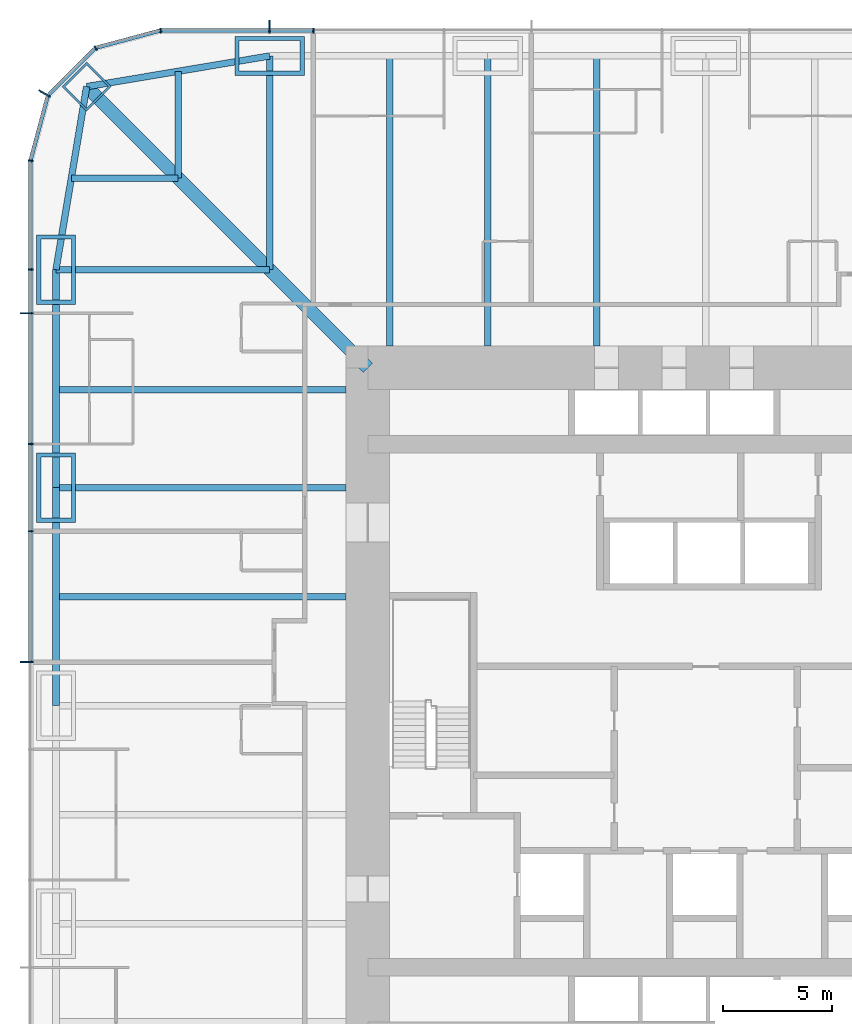
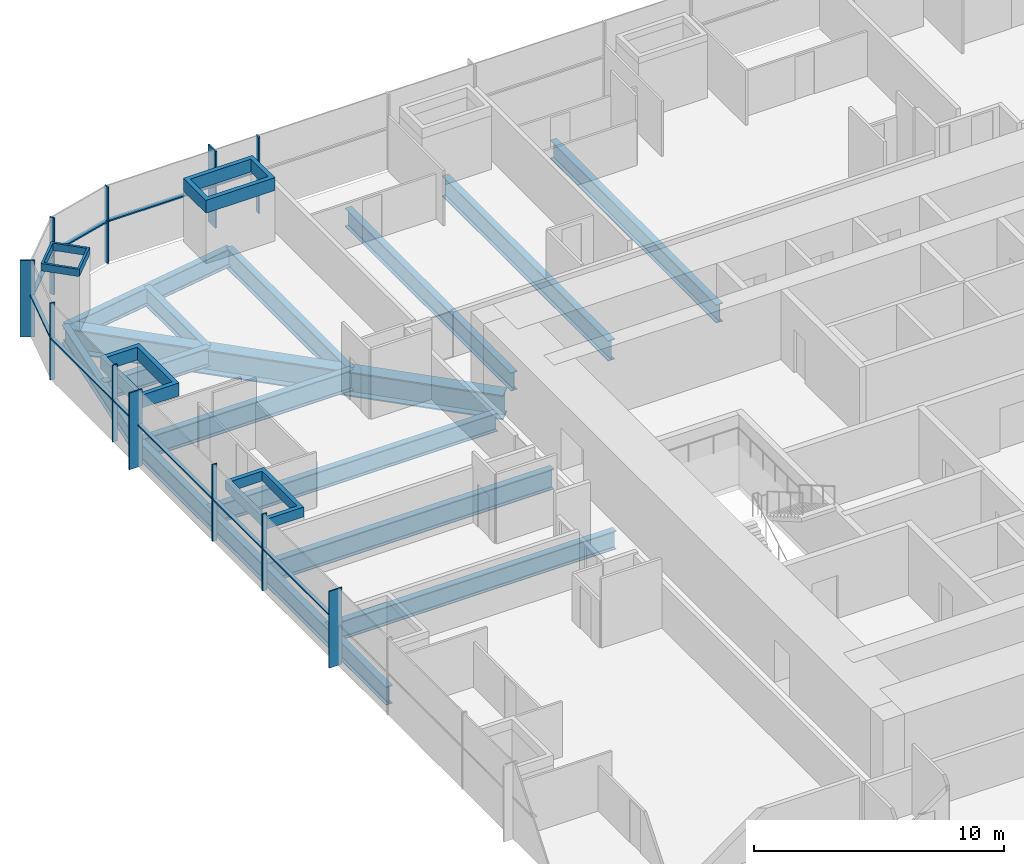
# One storey, part 6 of 17: 25 members, 15 beams, 3 elements without a shape of their own.
"""IFC4 building model written with IfcOpenShell, lengths in metres."""

import ifcopenshell
import ifcopenshell.guid

model = None  # the IFC model being written
_history = None  # IfcOwnerHistory: only IFC2X3 demands one
_inside = {}  # id of a spatial element -> (the spatial element, [elements in it])
_under = {}  # id of a project, library or spatial element -> (it, [spatial elements below it])
_declared = {}  # id of a project -> (the project, [libraries it declares])
_typed = {}  # id of a type object -> (the type object, [elements of that type])
_made_of = {}  # id of a material, layer set ... -> (it, [elements and type objects made of it])


def new_model(schema):
    """Start an empty IFC model of exactly this schema.

    Asked for "IFC4X3", IfcOpenShell would pick the latest addendum, in which some entities
    have other attributes; the version numbers below select the first issue.
    IFC2X3 requires an IfcOwnerHistory on every rooted entity: one is made here for all.
    """
    global model, _history
    if schema == "IFC4X3":
        model = ifcopenshell.file(schema_version=(4, 3, 0, 0))
    else:
        model = ifcopenshell.file(schema=schema)
    _inside.clear()
    _under.clear()
    _declared.clear()
    _typed.clear()
    _made_of.clear()
    _history = None
    if model.schema == "IFC2X3":
        org = make("IfcOrganization", Name="unknown")
        user = make(
            "IfcPersonAndOrganization",
            ThePerson=make("IfcPerson", FamilyName="unknown"),
            TheOrganization=org,
        )
        app = make(
            "IfcApplication",
            ApplicationDeveloper=org,
            Version="unknown",
            ApplicationFullName="unknown",
            ApplicationIdentifier="unknown",
        )
        _history = make(
            "IfcOwnerHistory",
            OwningUser=user,
            OwningApplication=app,
            ChangeAction="ADDED",
            CreationDate=0,
        )
    return model


def make(cls, **values):
    """One entity of the class cls with the attributes given. An attribute that is None is left unset."""
    return model.create_entity(
        cls, **{name: value for name, value in values.items() if value is not None}
    )


def rooted(cls, **values):
    """An entity with a GlobalId (a new one), such as an element, a storey or a relation."""
    return make(cls, GlobalId=ifcopenshell.guid.new(), OwnerHistory=_history, **values)


def si_unit(unit_type, name, prefix=None):
    """IfcSIUnit, for example si_unit("LENGTHUNIT", "METRE", prefix="MILLI")."""
    return make("IfcSIUnit", UnitType=unit_type, Prefix=prefix, Name=name)


def assignment(units):
    """IfcUnitAssignment: the units of a project."""
    return None if units is None else make("IfcUnitAssignment", Units=units)


def point(xyz):
    """IfcCartesianPoint."""
    return None if xyz is None else make("IfcCartesianPoint", Coordinates=xyz)


def direction(xyz):
    """IfcDirection."""
    return None if xyz is None else make("IfcDirection", DirectionRatios=xyz)


def frame(location, z_axis=None, x_axis=None):
    """IfcAxis2Placement3D, a coordinate frame: its origin and axes. An axis left out is left unset."""
    return make(
        "IfcAxis2Placement3D",
        Location=point(location),
        Axis=direction(z_axis),
        RefDirection=direction(x_axis),
    )


def frame_2d(location, x_axis=None):
    """IfcAxis2Placement2D, a coordinate frame in the plane: its origin and x axis."""
    return make(
        "IfcAxis2Placement2D", Location=point(location), RefDirection=direction(x_axis)
    )


def origin():
    """The frame at (0, 0, 0) with its axes left unset."""
    return frame((0.0, 0.0, 0.0))


def origin_2d():
    """The frame at (0, 0) in the plane with its x axis left unset."""
    return frame_2d((0.0, 0.0))


def place(relative_to, where):
    """IfcLocalPlacement: puts the frame where relative to a parent placement (None: the world)."""
    return make(
        "IfcLocalPlacement", PlacementRelTo=relative_to, RelativePlacement=where
    )


def context(
    kind, dimensions, precision=None, world=None, true_north=None, identifier=None
):
    """IfcGeometricRepresentationContext, for example the 3D "Model" context."""
    return make(
        "IfcGeometricRepresentationContext",
        ContextIdentifier=identifier,
        ContextType=kind,
        CoordinateSpaceDimension=dimensions,
        Precision=precision,
        WorldCoordinateSystem=world,
        TrueNorth=true_north,
    )


def subcontext(parent, identifier, kind, view, scale=None):
    """IfcGeometricRepresentationSubContext, for example "Body" below "Model"."""
    return make(
        "IfcGeometricRepresentationSubContext",
        ContextIdentifier=identifier,
        ContextType=kind,
        ParentContext=parent,
        TargetScale=scale,
        TargetView=view,
    )


def project(units=None, contexts=None):
    """IfcProject with its units and contexts."""
    return rooted(
        "IfcProject",
        Name="project",
        RepresentationContexts=contexts,
        UnitsInContext=assignment(units),
    )


def spatial(cls, under=None, at=None, **own):
    """A site, building, storey or space (cls), placed at a placement, below another one or the project."""
    s = rooted(cls, ObjectPlacement=at, **own)
    if under is not None:
        _under.setdefault(under.id(), (under, []))[1].append(s)
    return s


def profile(cls, at=None, kind="AREA", **sizes):
    """A parametric profile (cls). Its sizes go by their IFC names, for example OverallWidth=200.0."""
    return make(cls, ProfileType=kind, Position=at, **sizes)


def rectangle(**sizes):
    """IfcRectangleProfileDef."""
    return profile("IfcRectangleProfileDef", **sizes)


def hollow_rectangle(**sizes):
    """IfcRectangleHollowProfileDef."""
    return profile("IfcRectangleHollowProfileDef", **sizes)


def i_section(**sizes):
    """IfcIShapeProfileDef."""
    return profile("IfcIShapeProfileDef", **sizes)


def extrude(swept, where, along, depth):
    """IfcExtrudedAreaSolid: the profile swept, set in the frame where, extruded along a direction by depth."""
    return make(
        "IfcExtrudedAreaSolid",
        SweptArea=swept,
        Position=where,
        ExtrudedDirection=direction(along),
        Depth=depth,
    )


def shape(context_of_items, identifier, shape_type, items):
    """IfcShapeRepresentation: the items that make up one representation, for example the "Body"."""
    return make(
        "IfcShapeRepresentation",
        ContextOfItems=context_of_items,
        RepresentationIdentifier=identifier,
        RepresentationType=shape_type,
        Items=items,
    )


def material(Name=None, Category=None):
    """IfcMaterial."""
    return make("IfcMaterial", Name=Name, Category=Category)


def material_profile(
    of_material, cross_section, Name=None, Category=None, Priority=None
):
    """IfcMaterialProfile: a cross section and its material."""
    return make(
        "IfcMaterialProfile",
        Name=Name,
        Material=of_material,
        Profile=cross_section,
        Priority=Priority,
        Category=Category,
    )


def profile_set(profiles, Name=None, composite=None):
    """IfcMaterialProfileSet."""
    return make(
        "IfcMaterialProfileSet",
        Name=Name,
        MaterialProfiles=profiles,
        CompositeProfile=composite,
    )


def made_of(thing, what):
    """Note that an element or type object is made of a material, layer set ...; save() writes the relation."""
    if what is not None:
        _made_of.setdefault(what.id(), (what, []))[1].append(thing)
    return thing


def type_object(cls, material=None, **own):
    """A type object (cls), such as IfcWallType, which elements share."""
    return made_of(rooted(cls, **own), material)


def element(
    cls,
    number,
    at=None,
    inside=None,
    cuts=None,
    type_object=None,
    material=None,
    context=None,
    identifier="Body",
    shape_type=None,
    held_by="IfcProductDefinitionShape",
    body=None,
    shapes=None,
    **own,
):
    """One element of the class cls, such as IfcWall. Its Tag is "e" and its number.

    at: its placement. inside: the storey or other place that contains it. cuts: it is an
    opening in that element (IfcRelVoidsElement). A single representation is given by context,
    identifier, shape_type and body (its items); several are given by shapes. held_by: the class
    of the entity that holds the representations. save() writes the other relations.
    """
    e = rooted(cls, Tag="e%d" % number, ObjectPlacement=at, **own)
    if body is not None:
        shapes = [shape(context, identifier, shape_type, body)]
    if shapes is not None:
        e.Representation = make(held_by, Representations=shapes)
    if inside is not None:
        _inside.setdefault(inside.id(), (inside, []))[1].append(e)
    if cuts is not None:
        rooted(
            "IfcRelVoidsElement", RelatingBuildingElement=cuts, RelatedOpeningElement=e
        )
    if type_object is not None:
        _typed.setdefault(type_object.id(), (type_object, []))[1].append(e)
    return made_of(e, material)


def aggregate(whole, parts):
    """IfcRelAggregates: a whole, such as a stair, and the parts it consists of."""
    return rooted("IfcRelAggregates", RelatingObject=whole, RelatedObjects=parts)


def save(model, path):
    """Write the relations noted so far, then the file.

    IfcRelAggregates (storeys below a building ...), IfcRelContainedInSpatialStructure (elements
    in a storey), IfcRelDefinesByType, IfcRelAssociatesMaterial and IfcRelDeclares: one each for
    every whole, place, type object, material and project.
    """
    for whole, parts in _under.values():
        aggregate(whole, parts)
    for where, things in _inside.values():
        rooted(
            "IfcRelContainedInSpatialStructure",
            RelatedElements=things,
            RelatingStructure=where,
        )
    for kind, things in _typed.values():
        rooted("IfcRelDefinesByType", RelatedObjects=things, RelatingType=kind)
    for what, things in _made_of.values():
        rooted("IfcRelAssociatesMaterial", RelatedObjects=things, RelatingMaterial=what)
    for by, libraries in _declared.values():
        rooted("IfcRelDeclares", RelatingContext=by, RelatedDefinitions=libraries)
    model.write(path)


model = new_model("IFC4")

# Units and contexts
model_context = context("Model", 3, precision=1e-05, world=origin(), true_north=direction((0.0, 1.0)))
body_context = subcontext(model_context, "Body", "Model", "MODEL_VIEW")
ifc_project = project(units=[si_unit("LENGTHUNIT", "METRE"), si_unit("AREAUNIT", "SQUARE_METRE"), si_unit("VOLUMEUNIT", "CUBIC_METRE"), si_unit("PLANEANGLEUNIT", "RADIAN"), si_unit("MASSUNIT", "GRAM", prefix="KILO")], contexts=[model_context])

# Site, building, storey
site_placement = place(None, origin())
site = spatial("IfcSite", under=ifc_project, at=site_placement, CompositionType="ELEMENT")
building_placement = place(site_placement, origin())
building = spatial("IfcBuilding", under=site, at=building_placement, Name="Khuree Lantern Residences", CompositionType="ELEMENT")
storey_placement = place(building_placement, frame((0.0, 0.0, 96.0)))
storey = spatial("IfcBuildingStorey", under=building, at=storey_placement, Name="L24", CompositionType="ELEMENT", Elevation=96.0)

# Beams
ifc_material_1 = material(Name="Steel S355", Category="steel")
ifc_material_profile_1 = material_profile(ifc_material_1, i_section(OverallWidth=0.300048828125, OverallDepth=0.89990234375, WebThickness=0.0185546875, FlangeThickness=0.034912109375, FilletRadius=0.030029296875, at=origin_2d()), Name="HE 900 B")
ifc_profile_set_1 = profile_set([ifc_material_profile_1], Name="Steel S355")
beam_type_1 = type_object("IfcBeamType", Name="B-15A SECONDARY BEAM HE 900 B", PredefinedType="BEAM", material=ifc_profile_set_1)
for number, where, z_axis, x_axis, name in (
    (1, (-14.5, 29.800048828125, -0.699951171875), (0.0, -1.0, 0.0), (1.0, 0.0, 0.0), "Secondary beam N1"),
    (2, (-5.0, 29.800048828125, -0.699951171875), (0.0, -1.0, 0.0), (1.0, 0.0, 0.0), "Secondary beam N2"),
    (3, (-29.800048828125, 5.0, -0.699951171875), (1.0, 0.0, 0.0), (0.0, 1.0, 0.0), "Secondary beam W4"),
    (4, (-29.800048828125, 14.5, -0.699951171875), (1.0, 0.0, 0.0), (0.0, 1.0, 0.0), "Secondary beam W5"),
):
    element("IfcBeam", number, at=place(storey_placement, frame(where, z_axis=z_axis, x_axis=x_axis)), inside=storey, type_object=beam_type_1, Name=name, PredefinedType="BEAM", context=body_context, shape_type="SweptSolid", body=[
        extrude(i_section(OverallWidth=0.300048828125, OverallDepth=0.89990234375, WebThickness=0.0185546875, FlangeThickness=0.034912109375, FilletRadius=0.030029296875, at=origin_2d()), origin(), (0.0, 0.0, 1.0), 13.300048828125),
    ])
for number, where, z_axis, x_axis, name in (
    (5, (-29.09716796875, 24.197021484375, -0.699951171875), (1.0, 0.0, 0.0), (0.0, 1.0, 0.0), "Secondary beam W6"),
    (6, (-24.197021484375, 29.09716796875, -0.699951171875), (0.0, -1.0, 0.0), (1.0, 0.0, 0.0), "Secondary beam N6"),
):
    element("IfcBeam", number, at=place(storey_placement, frame(where, z_axis=z_axis, x_axis=x_axis)), inside=storey, type_object=beam_type_1, Name=name, PredefinedType="BEAM", context=body_context, shape_type="SweptSolid", body=[
        extrude(i_section(OverallWidth=0.300048828125, OverallDepth=0.89990234375, WebThickness=0.0185546875, FlangeThickness=0.034912109375, FilletRadius=0.030029296875, at=origin_2d()), origin(), (0.0, 0.0, 1.0), 4.900146484375),
    ])
ifc_material_profile_2 = material_profile(ifc_material_1, i_section(OverallWidth=0.300048828125, OverallDepth=0.889892578125, WebThickness=0.01611328125, FlangeThickness=0.030029296875, FilletRadius=0.030029296875, at=origin_2d()), Name="HE 900 A")
ifc_profile_set_2 = profile_set([ifc_material_profile_2], Name="Steel S355")
beam_type_2 = type_object("IfcBeamType", Name="E-15A SPANDREL BEAM HE 900 A", PredefinedType="SPANDREL", material=ifc_profile_set_2)
for number, where, z_axis, x_axis, name in (
    (7, (-29.800048828125, 0.0, -0.695068359375), (0.0, 1.0, 0.0), (-1.0, 0.0, 0.0), "Spandrel beam W4"),
    (8, (-29.800048828125, 10.0, -0.695068359375), (0.0, 1.0, 0.0), (-1.0, 0.0, 0.0), "Spandrel beam W5"),
):
    element("IfcBeam", number, at=place(storey_placement, frame(where, z_axis=z_axis, x_axis=x_axis)), inside=storey, type_object=beam_type_2, Name=name, PredefinedType="SPANDREL", context=body_context, shape_type="SweptSolid", body=[
        extrude(i_section(OverallWidth=0.300048828125, OverallDepth=0.889892578125, WebThickness=0.01611328125, FlangeThickness=0.030029296875, FilletRadius=0.030029296875, at=origin_2d()), origin(), (0.0, 0.0, 1.0), 10.0),
    ])
for number, where, z_axis, x_axis, name in (
    (9, (-29.800048828125, 20.0, -0.695068359375), (0.165199022349, 0.986260251158, 0.0), (-0.986260251158, 0.165199022349, 0.0), "Spandrel beam W6"),
    (10, (-28.39404296875, 28.39404296875, -0.695068359375), (0.986260251158, 0.165199022349, 0.0), (-0.165199022349, 0.986260251158, 0.0), "Spandrel beam N6"),
):
    element("IfcBeam", number, at=place(storey_placement, frame(where, z_axis=z_axis, x_axis=x_axis)), inside=storey, type_object=beam_type_2, Name=name, PredefinedType="SPANDREL", context=body_context, shape_type="SweptSolid", body=[
        extrude(i_section(OverallWidth=0.300048828125, OverallDepth=0.889892578125, WebThickness=0.01611328125, FlangeThickness=0.030029296875, FilletRadius=0.030029296875, at=origin_2d()), origin(), (0.0, 0.0, 1.0), 8.510986328125),
    ])

# Curtain wall, member
ifc_material_2 = material(Name="Bronze anodised aluminium", Category="aluminium")
curtain_wall_type_1 = type_object("IfcCurtainWallType", Name="CW-T1 TOWER FACE CURTAIN WALL", PredefinedType="USERDEFINED", material=ifc_material_2)
curtain_wall_1_placement = place(storey_placement, origin())
curtain_wall_1 = element("IfcCurtainWall", 11, at=curtain_wall_1_placement, inside=storey, type_object=curtain_wall_type_1, Name="L24 NORTH FACE CURTAIN WALL", ObjectType="Stick-built curtain wall", PredefinedType="USERDEFINED")
ifc_material_profile_3 = material_profile(ifc_material_2, rectangle(XDim=0.06494140625, YDim=0.60009765625, at=origin_2d()), Name="F1 65X600")
ifc_profile_set_3 = profile_set([ifc_material_profile_3], Name="Bronze anodised aluminium")
member_type_1 = type_object("IfcMemberType", Name="F1 BRONZE FIN MULLION TOWER 65X600", PredefinedType="MULLION", material=ifc_profile_set_3)
member_1_placement = place(storey_placement, frame((-20.0, 31.14990234375, 0.0), z_axis=(0.0, 0.0, 1.0), x_axis=(-1.0, 0.0, 0.0)))
member_1 = element("IfcMember", 12, at=member_1_placement, type_object=member_type_1, Name="L24 NORTH FACE FIN MULLION 28", PredefinedType="MULLION", context=body_context, shape_type="SweptSolid", body=[
    extrude(rectangle(XDim=0.06494140625, YDim=0.60009765625, at=origin_2d()), origin(), (0.0, 0.0, 1.0), 3.75),
])

curtain_wall_type_2 = type_object("IfcCurtainWallType", Name="CW-T2 TOWER CORNER CURTAIN WALL", PredefinedType="USERDEFINED", material=ifc_material_2)
curtain_wall_2_placement = place(storey_placement, origin())
curtain_wall_2 = element("IfcCurtainWall", 13, at=curtain_wall_2_placement, inside=storey, type_object=curtain_wall_type_2, Name="L24 NORTH-WEST CORNER CURTAIN WALL", ObjectType="Faceted corner curtain wall", PredefinedType="USERDEFINED")
member_2_placement = place(storey_placement, frame((-30.326171875, 28.074951171875, 0.0), z_axis=(0.0, 0.0, 1.0), x_axis=(-0.500000056923, -0.86602537092, 0.0)))
member_2 = element("IfcMember", 14, at=member_2_placement, type_object=member_type_1, Name="L24 NORTH-WEST CORNER FIN MULLION 31", PredefinedType="MULLION", context=body_context, shape_type="SweptSolid", body=[
    extrude(rectangle(XDim=0.06494140625, YDim=0.60009765625, at=origin_2d()), origin(), (0.0, 0.0, 1.0), 3.75),
])

# Curtain wall, members
curtain_wall_3_placement = place(storey_placement, origin())
curtain_wall_3 = element("IfcCurtainWall", 15, at=curtain_wall_3_placement, inside=storey, type_object=curtain_wall_type_1, Name="L24 WEST FACE CURTAIN WALL", ObjectType="Stick-built curtain wall", PredefinedType="USERDEFINED")
member_3_placement = place(storey_placement, frame((-31.14990234375, 18.0, 0.0), z_axis=(0.0, 0.0, 1.0), x_axis=(0.0, -1.0, 0.0)))
member_3 = element("IfcMember", 16, at=member_3_placement, type_object=member_type_1, Name="L24 WEST FACE FIN MULLION 34", PredefinedType="MULLION", context=body_context, shape_type="SweptSolid", body=[
    extrude(rectangle(XDim=0.06494140625, YDim=0.60009765625, at=origin_2d()), origin(), (0.0, 0.0, 1.0), 3.75),
])
member_4_placement = place(storey_placement, frame((-31.14990234375, 2.0, 0.0), z_axis=(0.0, 0.0, 1.0), x_axis=(0.0, -1.0, 0.0)))
member_4 = element("IfcMember", 17, at=member_4_placement, type_object=member_type_1, Name="L24 WEST FACE FIN MULLION 37", PredefinedType="MULLION", context=body_context, shape_type="SweptSolid", body=[
    extrude(rectangle(XDim=0.06494140625, YDim=0.60009765625, at=origin_2d()), origin(), (0.0, 0.0, 1.0), 3.75),
])

# Beams
ifc_material_profile_4 = material_profile(ifc_material_1, i_section(OverallWidth=0.302001953125, OverallDepth=1.008056640625, WebThickness=0.02099609375, FlangeThickness=0.0400390625, FilletRadius=0.030029296875, at=origin_2d()), Name="HE 1000 M")
ifc_profile_set_4 = profile_set([ifc_material_profile_4], Name="Steel S355")
beam_type_3 = type_object("IfcBeamType", Name="G-15 GIRDER HE 1000 M", PredefinedType="BEAM", material=ifc_profile_set_4)
beam_1_placement = place(storey_placement, frame((-20.0, 29.800048828125, -0.75390625), z_axis=(0.0, -1.0, 0.0), x_axis=(1.0, 0.0, 0.0)))
element("IfcBeam", 18, at=beam_1_placement, inside=storey, type_object=beam_type_3, Name="Girder N1", PredefinedType="BEAM", context=body_context, shape_type="SweptSolid", body=[
    extrude(i_section(OverallWidth=0.302001953125, OverallDepth=1.008056640625, WebThickness=0.02099609375, FlangeThickness=0.0400390625, FilletRadius=0.030029296875, at=origin_2d()), origin(), (0.0, 0.0, 1.0), 9.800048828125),
])
for number, where, z_axis, x_axis, name in (
    (19, (-10.0, 29.800048828125, -0.75390625), (0.0, -1.0, 0.0), (1.0, 0.0, 0.0), "Girder N2"),
    (20, (-29.800048828125, 10.0, -0.75390625), (1.0, 0.0, 0.0), (0.0, 1.0, 0.0), "Girder W4"),
):
    element("IfcBeam", number, at=place(storey_placement, frame(where, z_axis=z_axis, x_axis=x_axis)), inside=storey, type_object=beam_type_3, Name=name, PredefinedType="BEAM", context=body_context, shape_type="SweptSolid", body=[
        extrude(i_section(OverallWidth=0.302001953125, OverallDepth=1.008056640625, WebThickness=0.02099609375, FlangeThickness=0.0400390625, FilletRadius=0.030029296875, at=origin_2d()), origin(), (0.0, 0.0, 1.0), 13.300048828125),
    ])
beam_2_placement = place(storey_placement, frame((-29.800048828125, 20.0, -0.75390625), z_axis=(1.0, 0.0, 0.0), x_axis=(0.0, 1.0, 0.0)))
element("IfcBeam", 21, at=beam_2_placement, inside=storey, type_object=beam_type_3, Name="Girder W5", PredefinedType="BEAM", context=body_context, shape_type="SweptSolid", body=[
    extrude(i_section(OverallWidth=0.302001953125, OverallDepth=1.008056640625, WebThickness=0.02099609375, FlangeThickness=0.0400390625, FilletRadius=0.030029296875, at=origin_2d()), origin(), (0.0, 0.0, 1.0), 9.800048828125),
])
ifc_material_profile_5 = material_profile(ifc_material_1, i_section(OverallWidth=0.60009765625, OverallDepth=1.199951171875, WebThickness=0.030029296875, FlangeThickness=0.06005859375, at=origin_2d()), Name="WELDED I 1200X600X30X60")
ifc_profile_set_5 = profile_set([ifc_material_profile_5], Name="Steel S355")
beam_type_4 = type_object("IfcBeamType", Name="GD-15 CORNER GIRDER WELDED I 1200X600X30X60", PredefinedType="BEAM", material=ifc_profile_set_5)
beam_3_placement = place(storey_placement, frame((-28.39404296875, 28.39404296875, -0.85009765625), z_axis=(0.707106781187, -0.707106781187, 0.0), x_axis=(0.707106781187, 0.707106781187, 0.0)))
element("IfcBeam", 22, at=beam_3_placement, inside=storey, type_object=beam_type_4, Name="Corner girder NW", PredefinedType="BEAM", context=body_context, shape_type="SweptSolid", body=[
    extrude(i_section(OverallWidth=0.60009765625, OverallDepth=1.199951171875, WebThickness=0.030029296875, FlangeThickness=0.06005859375, at=origin_2d()), origin(), (0.0, 0.0, 1.0), 18.23486328125),
])

# Member
ifc_material_profile_6 = material_profile(ifc_material_2, rectangle(XDim=0.06494140625, YDim=0.219970703125, at=origin_2d()), Name="M1 65X220")
ifc_profile_set_6 = profile_set([ifc_material_profile_6], Name="Bronze anodised aluminium")
member_type_2 = type_object("IfcMemberType", Name="M1 BRONZE MULLION TOWER 65X220", PredefinedType="MULLION", material=ifc_profile_set_6)
member_5_placement = place(storey_placement, frame((-18.0, 30.9599609375, 0.0), z_axis=(0.0, 0.0, 1.0), x_axis=(-1.0, 0.0, 0.0)))
member_5 = element("IfcMember", 23, at=member_5_placement, type_object=member_type_2, Name="L24 NORTH FACE MULLION 27", PredefinedType="MULLION", context=body_context, shape_type="SweptSolid", body=[
    extrude(rectangle(XDim=0.06494140625, YDim=0.219970703125, at=origin_2d()), origin(), (0.0, 0.0, 1.0), 3.75),
])

member_6_placement = place(storey_placement, frame((-24.994873046875, 30.961669921875, 0.0), z_axis=(0.0, 0.0, 1.0), x_axis=(-0.991444852794, -0.130526257387, 0.0)))
member_6 = element("IfcMember", 24, at=member_6_placement, type_object=member_type_2, Name="L24 NORTH-WEST CORNER MULLION 29", PredefinedType="MULLION", context=body_context, shape_type="SweptSolid", body=[
    extrude(rectangle(XDim=0.06494140625, YDim=0.219970703125, at=origin_2d()), origin(), (0.0, 0.0, 1.0), 3.75),
])

member_7_placement = place(storey_placement, frame((-27.97998046875, 30.16162109375, 0.0), z_axis=(0.0, 0.0, 1.0), x_axis=(-0.86602537092, -0.500000056923, 0.0)))
member_7 = element("IfcMember", 25, at=member_7_placement, type_object=member_type_2, Name="L24 NORTH-WEST CORNER MULLION 30", PredefinedType="MULLION", context=body_context, shape_type="SweptSolid", body=[
    extrude(rectangle(XDim=0.06494140625, YDim=0.219970703125, at=origin_2d()), origin(), (0.0, 0.0, 1.0), 3.75),
])

member_8_placement = place(storey_placement, frame((-30.961669921875, 24.994873046875, 0.0), z_axis=(0.0, 0.0, 1.0), x_axis=(-0.130526257387, -0.991444852794, 0.0)))
member_8 = element("IfcMember", 26, at=member_8_placement, type_object=member_type_2, Name="L24 WEST FACE MULLION 32", PredefinedType="MULLION", context=body_context, shape_type="SweptSolid", body=[
    extrude(rectangle(XDim=0.06494140625, YDim=0.219970703125, at=origin_2d()), origin(), (0.0, 0.0, 1.0), 3.75),
])

member_9_placement = place(storey_placement, frame((-30.9599609375, 20.0, 0.0), z_axis=(0.0, 0.0, 1.0), x_axis=(0.0, -1.0, 0.0)))
member_9 = element("IfcMember", 27, at=member_9_placement, type_object=member_type_2, Name="L24 WEST FACE MULLION 33", PredefinedType="MULLION", context=body_context, shape_type="SweptSolid", body=[
    extrude(rectangle(XDim=0.06494140625, YDim=0.219970703125, at=origin_2d()), origin(), (0.0, 0.0, 1.0), 3.75),
])

member_10_placement = place(storey_placement, frame((-30.9599609375, 12.0, 0.0), z_axis=(0.0, 0.0, 1.0), x_axis=(0.0, -1.0, 0.0)))
member_10 = element("IfcMember", 28, at=member_10_placement, type_object=member_type_2, Name="L24 WEST FACE MULLION 35", PredefinedType="MULLION", context=body_context, shape_type="SweptSolid", body=[
    extrude(rectangle(XDim=0.06494140625, YDim=0.219970703125, at=origin_2d()), origin(), (0.0, 0.0, 1.0), 3.75),
])

member_11_placement = place(storey_placement, frame((-30.9599609375, 8.0, 0.0), z_axis=(0.0, 0.0, 1.0), x_axis=(0.0, -1.0, 0.0)))
member_11 = element("IfcMember", 29, at=member_11_placement, type_object=member_type_2, Name="L24 WEST FACE MULLION 36", PredefinedType="MULLION", context=body_context, shape_type="SweptSolid", body=[
    extrude(rectangle(XDim=0.06494140625, YDim=0.219970703125, at=origin_2d()), origin(), (0.0, 0.0, 1.0), 3.75),
])

# Members
ifc_material_3 = material(Name="Steel S355 CFT welded box", Category="steel")
ifc_material_profile_7 = material_profile(ifc_material_3, hollow_rectangle(XDim=3.199951171875, YDim=1.800048828125, WallThickness=0.199951171875, at=origin_2d()), Name="WELDED BOX 3200X1800X200")
ifc_profile_set_7 = profile_set([ifc_material_profile_7], Name="Steel S355 CFT welded box")
member_type_3 = type_object("IfcMemberType", Name="MN MEGA COLUMN NODE WELDED BOX 3200X1800X200", PredefinedType="MEMBER", material=ifc_profile_set_7)
member_12_placement = place(storey_placement, frame((-20.0, 29.800048828125, 2.469970703125), z_axis=(0.0, 0.0, 1.0), x_axis=(1.0, 0.0, 0.0)))
element("IfcMember", 30, at=member_12_placement, inside=storey, type_object=member_type_3, Name="Mega column node N1", PredefinedType="MEMBER", context=body_context, shape_type="SweptSolid", body=[
    extrude(hollow_rectangle(XDim=3.199951171875, YDim=1.800048828125, WallThickness=0.199951171875, at=origin_2d()), origin(), (0.0, 0.0, 1.0), 0.630126953125),
])
member_13_placement = place(storey_placement, frame((-29.800048828125, 10.0, 2.6201171875), z_axis=(0.0, 0.0, 1.0), x_axis=(0.0, 1.0, 0.0)))
element("IfcMember", 31, at=member_13_placement, inside=storey, type_object=member_type_3, Name="Mega column node W4", PredefinedType="MEMBER", context=body_context, shape_type="SweptSolid", body=[
    extrude(hollow_rectangle(XDim=3.199951171875, YDim=1.800048828125, WallThickness=0.199951171875, at=origin_2d()), origin(), (0.0, 0.0, 1.0), 0.47998046875),
])
member_14_placement = place(storey_placement, frame((-29.800048828125, 20.0, 2.469970703125), z_axis=(0.0, 0.0, 1.0), x_axis=(0.0, 1.0, 0.0)))
element("IfcMember", 32, at=member_14_placement, inside=storey, type_object=member_type_3, Name="Mega column node W5", PredefinedType="MEMBER", context=body_context, shape_type="SweptSolid", body=[
    extrude(hollow_rectangle(XDim=3.199951171875, YDim=1.800048828125, WallThickness=0.199951171875, at=origin_2d()), origin(), (0.0, 0.0, 1.0), 0.630126953125),
])
ifc_material_profile_8 = material_profile(ifc_material_3, hollow_rectangle(XDim=1.60009765625, YDim=1.60009765625, WallThickness=0.10009765625, at=origin_2d()), Name="WELDED BOX 1600X1600X100")
ifc_profile_set_8 = profile_set([ifc_material_profile_8], Name="Steel S355 CFT welded box")
member_type_4 = type_object("IfcMemberType", Name="MNA MEGA COLUMN NODE WELDED BOX 1600X1600X100", PredefinedType="MEMBER", material=ifc_profile_set_8)
member_15_placement = place(storey_placement, frame((-28.39404296875, 28.39404296875, 2.739990234375), z_axis=(0.0, 0.0, 1.0), x_axis=(0.707106781187, 0.707106781187, 0.0)))
element("IfcMember", 33, at=member_15_placement, inside=storey, type_object=member_type_4, Name="Mega column node NW", PredefinedType="MEMBER", context=body_context, shape_type="SweptSolid", body=[
    extrude(hollow_rectangle(XDim=1.60009765625, YDim=1.60009765625, WallThickness=0.10009765625, at=origin_2d()), origin(), (0.0, 0.0, 1.0), 0.360107421875),
])

# Member
ifc_material_profile_9 = material_profile(ifc_material_2, rectangle(XDim=0.179931640625, YDim=0.06494140625, at=origin_2d()), Name="T1 180X65")
ifc_profile_set_9 = profile_set([ifc_material_profile_9], Name="Bronze anodised aluminium")
member_type_5 = type_object("IfcMemberType", Name="TRANSOM T1 TOWER 180X65", PredefinedType="USERDEFINED", material=ifc_profile_set_9)
member_16_placement = place(storey_placement, frame((-18.032470703125, 30.969970703125, 2.050048828125), z_axis=(-1.0, 0.0, 0.0), x_axis=(0.0, -1.0, 0.0)))
member_16 = element("IfcMember", 34, at=member_16_placement, type_object=member_type_5, Name="L24 NORTH FACE TRANSOM 27.1", ObjectType="Transom", PredefinedType="USERDEFINED", context=body_context, shape_type="SweptSolid", body=[
    extrude(rectangle(XDim=0.179931640625, YDim=0.06494140625, at=origin_2d()), origin(), (0.0, 0.0, 1.0), 1.93505859375),
])

member_17_placement = place(storey_placement, frame((-20.032470703125, 30.969970703125, 2.050048828125), z_axis=(-1.0, 0.0, 0.0), x_axis=(0.0, -1.0, 0.0)))
member_17 = element("IfcMember", 35, at=member_17_placement, type_object=member_type_5, Name="L24 NORTH FACE TRANSOM 28.1", ObjectType="Transom", PredefinedType="USERDEFINED", context=body_context, shape_type="SweptSolid", body=[
    extrude(rectangle(XDim=0.179931640625, YDim=0.06494140625, at=origin_2d()), origin(), (0.0, 0.0, 1.0), 4.9189453125),
])

aggregate(curtain_wall_1, [member_5, member_1, member_16, member_17])

member_18_placement = place(storey_placement, frame((-25.0390625, 30.95849609375, 2.050048828125), z_axis=(-0.965934938286, -0.258785036271, 0.0), x_axis=(0.258785036271, -0.965934938286, 0.0)))
member_18 = element("IfcMember", 36, at=member_18_placement, type_object=member_type_5, Name="L24 NORTH-WEST CORNER TRANSOM 29.1", ObjectType="Transom", PredefinedType="USERDEFINED", context=body_context, shape_type="SweptSolid", body=[
    extrude(rectangle(XDim=0.179931640625, YDim=0.06494140625, at=origin_2d()), origin(), (0.0, 0.0, 1.0), 2.991455078125),
])

member_19_placement = place(storey_placement, frame((-28.025390625, 30.12841796875, 2.050048828125), z_axis=(-0.707106781187, -0.707106781187, 0.0), x_axis=(0.707106781187, -0.707106781187, 0.0)))
member_19 = element("IfcMember", 37, at=member_19_placement, type_object=member_type_5, Name="L24 NORTH-WEST CORNER TRANSOM 30.1", ObjectType="Transom", PredefinedType="USERDEFINED", context=body_context, shape_type="SweptSolid", body=[
    extrude(rectangle(XDim=0.179931640625, YDim=0.06494140625, at=origin_2d()), origin(), (0.0, 0.0, 1.0), 2.97412109375),
])

member_20_placement = place(storey_placement, frame((-30.184326171875, 27.9287109375, 2.050048828125), z_axis=(-0.258785036271, -0.965934938286, 0.0), x_axis=(0.965934938286, -0.258785036271, 0.0)))
member_20 = element("IfcMember", 38, at=member_20_placement, type_object=member_type_5, Name="L24 NORTH-WEST CORNER TRANSOM 31.1", ObjectType="Transom", PredefinedType="USERDEFINED", context=body_context, shape_type="SweptSolid", body=[
    extrude(rectangle(XDim=0.179931640625, YDim=0.06494140625, at=origin_2d()), origin(), (0.0, 0.0, 1.0), 2.991455078125),
])

aggregate(curtain_wall_2, [member_6, member_7, member_2, member_18, member_19, member_20])

member_21_placement = place(storey_placement, frame((-30.969970703125, 24.951416015625, 2.050048828125), z_axis=(0.0, -1.0, 0.0), x_axis=(1.0, 0.0, 0.0)))
member_21 = element("IfcMember", 39, at=member_21_placement, type_object=member_type_5, Name="L24 WEST FACE TRANSOM 32.1", ObjectType="Transom", PredefinedType="USERDEFINED", context=body_context, shape_type="SweptSolid", body=[
    extrude(rectangle(XDim=0.179931640625, YDim=0.06494140625, at=origin_2d()), origin(), (0.0, 0.0, 1.0), 4.9189453125),
])

member_22_placement = place(storey_placement, frame((-30.969970703125, 19.967529296875, 2.050048828125), z_axis=(0.0, -1.0, 0.0), x_axis=(1.0, 0.0, 0.0)))
member_22 = element("IfcMember", 40, at=member_22_placement, type_object=member_type_5, Name="L24 WEST FACE TRANSOM 33.1", ObjectType="Transom", PredefinedType="USERDEFINED", context=body_context, shape_type="SweptSolid", body=[
    extrude(rectangle(XDim=0.179931640625, YDim=0.06494140625, at=origin_2d()), origin(), (0.0, 0.0, 1.0), 1.93505859375),
])

member_23_placement = place(storey_placement, frame((-30.969970703125, 17.967529296875, 2.050048828125), z_axis=(0.0, -1.0, 0.0), x_axis=(1.0, 0.0, 0.0)))
member_23 = element("IfcMember", 41, at=member_23_placement, type_object=member_type_5, Name="L24 WEST FACE TRANSOM 34.1", ObjectType="Transom", PredefinedType="USERDEFINED", context=body_context, shape_type="SweptSolid", body=[
    extrude(rectangle(XDim=0.179931640625, YDim=0.06494140625, at=origin_2d()), origin(), (0.0, 0.0, 1.0), 5.93505859375),
])

member_24_placement = place(storey_placement, frame((-30.969970703125, 11.967529296875, 2.050048828125), z_axis=(0.0, -1.0, 0.0), x_axis=(1.0, 0.0, 0.0)))
member_24 = element("IfcMember", 42, at=member_24_placement, type_object=member_type_5, Name="L24 WEST FACE TRANSOM 35.1", ObjectType="Transom", PredefinedType="USERDEFINED", context=body_context, shape_type="SweptSolid", body=[
    extrude(rectangle(XDim=0.179931640625, YDim=0.06494140625, at=origin_2d()), origin(), (0.0, 0.0, 1.0), 3.93505859375),
])

member_25_placement = place(storey_placement, frame((-30.969970703125, 7.967529296875, 2.050048828125), z_axis=(0.0, -1.0, 0.0), x_axis=(1.0, 0.0, 0.0)))
member_25 = element("IfcMember", 43, at=member_25_placement, type_object=member_type_5, Name="L24 WEST FACE TRANSOM 36.1", ObjectType="Transom", PredefinedType="USERDEFINED", context=body_context, shape_type="SweptSolid", body=[
    extrude(rectangle(XDim=0.179931640625, YDim=0.06494140625, at=origin_2d()), origin(), (0.0, 0.0, 1.0), 5.93505859375),
])

aggregate(curtain_wall_3, [member_8, member_9, member_3, member_10, member_11, member_4, member_21, member_22, member_23, member_24, member_25])

save(model, "model.ifc")
